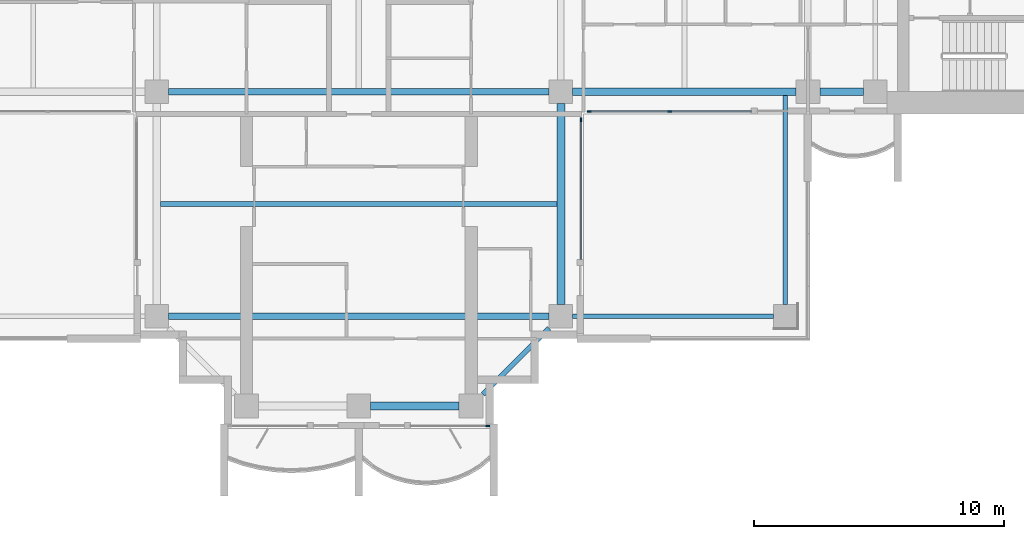
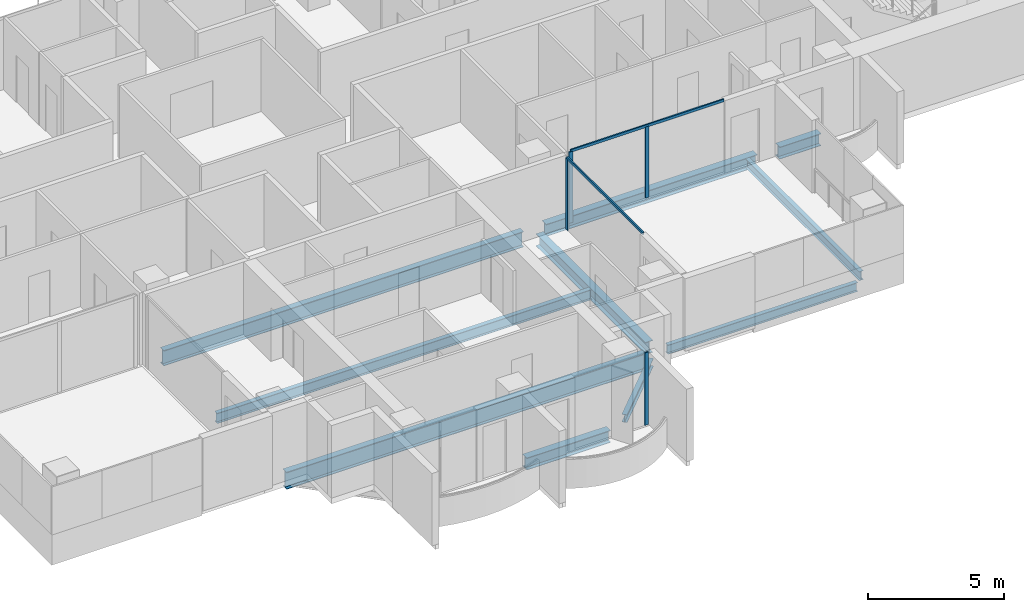
# One storey, part 3 of 18: 10 beams, 6 members, 3 elements without a shape of their own.
"""IFC4 building model written with IfcOpenShell, lengths in metres."""

from ifc_helpers import new_model, si_unit, direction, frame, origin, origin_2d, place, context, subcontext, project, spatial, rectangle, i_section, extrude, material, material_profile, profile_set, type_object, element, aggregate, save


model = new_model("IFC4")

# Units and contexts
model_context = context("Model", 3, precision=1e-05, world=origin(), true_north=direction((0.0, 1.0)))
body_context = subcontext(model_context, "Body", "Model", "MODEL_VIEW")
ifc_project = project(units=[si_unit("LENGTHUNIT", "METRE"), si_unit("AREAUNIT", "SQUARE_METRE"), si_unit("VOLUMEUNIT", "CUBIC_METRE"), si_unit("PLANEANGLEUNIT", "RADIAN"), si_unit("MASSUNIT", "GRAM", prefix="KILO")], contexts=[model_context])

# Site, building, storey
site_placement = place(None, origin())
site = spatial("IfcSite", under=ifc_project, at=site_placement, CompositionType="ELEMENT")
building_placement = place(site_placement, origin())
building = spatial("IfcBuilding", under=site, at=building_placement, Name="Perihelion Cross Residences", CompositionType="ELEMENT")
storey_placement = place(building_placement, frame((0.0, 0.0, 215.60009765625)))
storey = spatial("IfcBuildingStorey", under=building, at=storey_placement, Name="L54", CompositionType="ELEMENT", Elevation=215.60009765625)

# Curtain wall, member
ifc_material_1 = material(Name="Bronze anodised aluminium, tinted glazing", Category="aluminium")
curtain_wall_type = type_object("IfcCurtainWallType", Name="CW1", PredefinedType="NOTDEFINED", material=ifc_material_1)
curtain_wall_1_placement = place(storey_placement, origin())
curtain_wall_1 = element("IfcCurtainWall", 1, at=curtain_wall_1_placement, inside=storey, type_object=curtain_wall_type, Name="Curtain wall CW1 L54 south tip south bay 2", PredefinedType="NOTDEFINED")
ifc_material_2 = material(Name="Bronze anodised aluminium", Category="aluminium")
ifc_material_profile_1 = material_profile(ifc_material_2, rectangle(XDim=0.06005859375, YDim=0.159912109375, at=origin_2d()), Name="CW1 mullion")
ifc_profile_set_1 = profile_set([ifc_material_profile_1], Name="Bronze anodised aluminium")
member_type_1 = type_object("IfcMemberType", Name="CW1 mullion", PredefinedType="MULLION", material=ifc_profile_set_1)
member_1_placement = place(storey_placement, frame((5.169921875, -21.5, 0.0), z_axis=(0.0, 0.0, 1.0), x_axis=(0.0, 1.0, 0.0)))
member_1 = element("IfcMember", 2, at=member_1_placement, type_object=member_type_1, Name="CW1 mullion 2", PredefinedType="MULLION", context=body_context, shape_type="SweptSolid", body=[
    extrude(rectangle(XDim=0.06005859375, YDim=0.159912109375, at=origin_2d()), origin(), (0.0, 0.0, 1.0), 3.25),
])
aggregate(curtain_wall_1, [member_1])

curtain_wall_2_placement = place(storey_placement, origin())
curtain_wall_2 = element("IfcCurtainWall", 3, at=curtain_wall_2_placement, inside=storey, type_object=curtain_wall_type, Name="Curtain wall CW1 L54 south side east bay 1", PredefinedType="NOTDEFINED")
member_2_placement = place(storey_placement, frame((8.89990234375, -9.22998046875, 0.0), z_axis=(0.0, 0.0, 1.0), x_axis=(-1.0, 0.0, 0.0)))
member_2 = element("IfcMember", 4, at=member_2_placement, type_object=member_type_1, Name="CW1 mullion 2", PredefinedType="MULLION", context=body_context, shape_type="SweptSolid", body=[
    extrude(rectangle(XDim=0.06005859375, YDim=0.159912109375, at=origin_2d()), origin(), (0.0, 0.0, 1.0), 3.18994140625),
])

# Curtain wall, members
curtain_wall_3_placement = place(storey_placement, origin())
curtain_wall_3 = element("IfcCurtainWall", 5, at=curtain_wall_3_placement, inside=storey, type_object=curtain_wall_type, Name="Curtain wall CW1 L54 east side south bay 1", PredefinedType="NOTDEFINED")
member_3_placement = place(storey_placement, frame((9.22998046875, -8.89990234375, 0.0), z_axis=(0.0, 0.0, 1.0), x_axis=(0.0, 1.0, 0.0)))
member_3 = element("IfcMember", 6, at=member_3_placement, type_object=member_type_1, Name="CW1 mullion 1", PredefinedType="MULLION", context=body_context, shape_type="SweptSolid", body=[
    extrude(rectangle(XDim=0.06005859375, YDim=0.159912109375, at=origin_2d()), origin(), (0.0, 0.0, 1.0), 3.18994140625),
])
member_4_placement = place(storey_placement, frame((12.46240234375, -8.89990234375, 0.0), z_axis=(0.0, 0.0, 1.0), x_axis=(0.0, 1.0, 0.0)))
member_4 = element("IfcMember", 7, at=member_4_placement, type_object=member_type_1, Name="CW1 mullion 2", PredefinedType="MULLION", context=body_context, shape_type="SweptSolid", body=[
    extrude(rectangle(XDim=0.06005859375, YDim=0.159912109375, at=origin_2d()), origin(), (0.0, 0.0, 1.0), 3.18994140625),
])

# Member
ifc_material_3 = material(Name="Bronze anodised aluminium", Category="aluminium")
ifc_material_profile_2 = material_profile(ifc_material_3, rectangle(XDim=0.06005859375, YDim=0.1201171875, at=origin_2d()), Name="CW1 transom")
ifc_profile_set_2 = profile_set([ifc_material_profile_2], Name="Bronze anodised aluminium")
member_type_2 = type_object("IfcMemberType", Name="CW1 transom", PredefinedType="USERDEFINED", material=ifc_profile_set_2)
member_5_placement = place(storey_placement, frame((8.89990234375, -14.824951171875, 3.219970703125), z_axis=(0.0, 1.0, 0.0), x_axis=(-1.0, 0.0, 0.0)))
member_5 = element("IfcMember", 8, at=member_5_placement, type_object=member_type_2, Name="CW1 head transom", ObjectType="TRANSOM", PredefinedType="USERDEFINED", context=body_context, shape_type="SweptSolid", body=[
    extrude(rectangle(XDim=0.06005859375, YDim=0.1201171875, at=origin_2d()), origin(), (0.0, 0.0, 1.0), 5.594970703125),
])

aggregate(curtain_wall_2, [member_2, member_5])

member_6_placement = place(storey_placement, frame((9.22998046875, -8.89990234375, 3.219970703125), z_axis=(1.0, 0.0, 0.0), x_axis=(0.0, 1.0, 0.0)))
member_6 = element("IfcMember", 9, at=member_6_placement, type_object=member_type_2, Name="CW1 head transom", ObjectType="TRANSOM", PredefinedType="USERDEFINED", context=body_context, shape_type="SweptSolid", body=[
    extrude(rectangle(XDim=0.06005859375, YDim=0.1201171875, at=origin_2d()), origin(), (0.0, 0.0, 1.0), 6.4951171875),
])

aggregate(curtain_wall_3, [member_3, member_4, member_6])

# Beams
ifc_material_4 = material(Name="Steel S355", Category="steel")
ifc_material_profile_3 = material_profile(ifc_material_4, i_section(OverallWidth=0.177978515625, OverallDepth=0.406005859375, WebThickness=0.0078125, FlangeThickness=0.0126953125, at=origin_2d()), Name="W410x60")
ifc_profile_set_3 = profile_set([ifc_material_profile_3], Name="Steel S355")
beam_type_1 = type_object("IfcBeamType", Name="Core edge beam W410x60", PredefinedType="BEAM", material=ifc_profile_set_3)
beam_1_placement = place(storey_placement, frame((17.10009765625, -8.256103515625, -0.453125), z_axis=(0.0, -1.0, 0.0), x_axis=(1.0, 0.0, 0.0)))
element("IfcBeam", 10, at=beam_1_placement, inside=storey, type_object=beam_type_1, Name="Core edge beam TB2 L54 corner no. 3", PredefinedType="BEAM", context=body_context, shape_type="SweptSolid", body=[
    extrude(i_section(OverallWidth=0.177978515625, OverallDepth=0.406005859375, WebThickness=0.0078125, FlangeThickness=0.0126953125, at=origin_2d()), origin(), (0.0, 0.0, 1.0), 8.368896484375),
])
beam_2_placement = place(storey_placement, frame((8.574951171875, -17.10009765625, -0.453125), z_axis=(1.0, 0.0, 0.0), x_axis=(0.0, 1.0, 0.0)))
element("IfcBeam", 11, at=beam_2_placement, inside=storey, type_object=beam_type_1, Name="Core edge beam TB2 L54 corner no. 4", PredefinedType="BEAM", context=body_context, shape_type="SweptSolid", body=[
    extrude(i_section(OverallWidth=0.177978515625, OverallDepth=0.406005859375, WebThickness=0.0078125, FlangeThickness=0.0126953125, at=origin_2d()), origin(), (0.0, 0.0, 1.0), 8.050048828125),
])
ifc_material_5 = material(Name="Steel S355", Category="steel")
ifc_material_profile_4 = material_profile(ifc_material_5, i_section(OverallWidth=0.31201171875, OverallDepth=0.5439453125, WebThickness=0.0126953125, FlangeThickness=0.020263671875, at=origin_2d()), Name="W530x150")
ifc_profile_set_4 = profile_set([ifc_material_profile_4], Name="Steel S355")
beam_type_2 = type_object("IfcBeamType", Name="Edge beam W530x150", PredefinedType="SPANDREL", material=ifc_profile_set_4)
beam_3_placement = place(storey_placement, frame((0.47509765625, -20.699951171875, -0.522216796875), z_axis=(1.0, 0.0, 0.0), x_axis=(0.0, 1.0, 0.0)))
element("IfcBeam", 12, at=beam_3_placement, inside=storey, type_object=beam_type_2, Name="Edge beam SB4 L54 no. 7", PredefinedType="SPANDREL", context=body_context, shape_type="SweptSolid", body=[
    extrude(i_section(OverallWidth=0.31201171875, OverallDepth=0.5439453125, WebThickness=0.0126953125, FlangeThickness=0.020263671875, at=origin_2d()), origin(), (0.0, 0.0, 1.0), 3.5498046875),
])
beam_4_placement = place(storey_placement, frame((8.10009765625, -16.625, -0.522216796875), z_axis=(0.0, 1.0, 0.0), x_axis=(-1.0, 0.0, 0.0)))
element("IfcBeam", 13, at=beam_4_placement, inside=storey, type_object=beam_type_2, Name="Edge beam SB4 L54 no. 11", PredefinedType="SPANDREL", context=body_context, shape_type="SweptSolid", body=[
    extrude(i_section(OverallWidth=0.31201171875, OverallDepth=0.5439453125, WebThickness=0.0126953125, FlangeThickness=0.020263671875, at=origin_2d()), origin(), (0.0, 0.0, 1.0), 8.050048828125),
])
beam_5_placement = place(storey_placement, frame((8.574951171875, -8.10009765625, -0.522216796875), z_axis=(1.0, 0.0, 0.0), x_axis=(0.0, 1.0, 0.0)))
element("IfcBeam", 14, at=beam_5_placement, inside=storey, type_object=beam_type_2, Name="Edge beam SB4 L54 no. 12", PredefinedType="SPANDREL", context=body_context, shape_type="SweptSolid", body=[
    extrude(i_section(OverallWidth=0.31201171875, OverallDepth=0.5439453125, WebThickness=0.0126953125, FlangeThickness=0.020263671875, at=origin_2d()), origin(), (0.0, 0.0, 1.0), 8.949951171875),
])
beam_6_placement = place(storey_placement, frame((18.47509765625, -8.10009765625, -0.522216796875), z_axis=(1.0, 0.0, 0.0), x_axis=(0.0, 1.0, 0.0)))
element("IfcBeam", 15, at=beam_6_placement, inside=storey, type_object=beam_type_2, Name="Edge beam SB4 L54 no. 8", PredefinedType="SPANDREL", context=body_context, shape_type="SweptSolid", body=[
    extrude(i_section(OverallWidth=0.31201171875, OverallDepth=0.5439453125, WebThickness=0.0126953125, FlangeThickness=0.020263671875, at=origin_2d()), origin(), (0.0, 0.0, 1.0), 1.75),
])
ifc_material_6 = material(Name="Steel S355", Category="steel")
ifc_material_profile_5 = material_profile(ifc_material_6, i_section(OverallWidth=0.26708984375, OverallDepth=0.77001953125, WebThickness=0.015625, FlangeThickness=0.025390625, at=origin_2d()), Name="W760x196")
ifc_profile_set_5 = profile_set([ifc_material_profile_5], Name="Steel S355")
beam_type_3 = type_object("IfcBeamType", Name="Floor girder W760x196", PredefinedType="BEAM", material=ifc_profile_set_5)
beam_7_placement = place(storey_placement, frame((-7.625, -17.10009765625, -0.635009765625), z_axis=(1.0, 0.0, 0.0), x_axis=(0.0, 1.0, 0.0)))
element("IfcBeam", 16, at=beam_7_placement, inside=storey, type_object=beam_type_3, Name="Girder G4 L54 no. 3", PredefinedType="BEAM", context=body_context, shape_type="SweptSolid", body=[
    extrude(i_section(OverallWidth=0.26708984375, OverallDepth=0.77001953125, WebThickness=0.015625, FlangeThickness=0.025390625, at=origin_2d()), origin(), (0.0, 0.0, 1.0), 15.25),
])
ifc_material_7 = material(Name="Steel S355", Category="steel")
ifc_material_profile_6 = material_profile(ifc_material_7, i_section(OverallWidth=0.19091796875, OverallDepth=0.45703125, WebThickness=0.009033203125, FlangeThickness=0.014404296875, at=origin_2d()), Name="W460x74")
ifc_profile_set_6 = profile_set([ifc_material_profile_6], Name="Steel S355")
beam_type_4 = type_object("IfcBeamType", Name="Floor joist W460x74", PredefinedType="JOIST", material=ifc_profile_set_6)
beam_8_placement = place(storey_placement, frame((-7.944091796875, -12.60009765625, -0.478515625), z_axis=(1.0, 0.0, 0.0), x_axis=(0.0, 1.0, 0.0)))
element("IfcBeam", 17, at=beam_8_placement, inside=storey, type_object=beam_type_4, Name="Joist J5 L54 no. 3", PredefinedType="JOIST", context=body_context, shape_type="SweptSolid", body=[
    extrude(i_section(OverallWidth=0.19091796875, OverallDepth=0.45703125, WebThickness=0.009033203125, FlangeThickness=0.014404296875, at=origin_2d()), origin(), (0.0, 0.0, 1.0), 15.88818359375),
])
ifc_material_8 = material(Name="Steel S355", Category="steel")
ifc_material_profile_7 = material_profile(ifc_material_8, i_section(OverallWidth=0.257080078125, OverallDepth=0.693115234375, WebThickness=0.014404296875, FlangeThickness=0.023681640625, at=origin_2d()), Name="W690x170")
ifc_profile_set_7 = profile_set([ifc_material_profile_7], Name="Steel S355")
beam_type_5 = type_object("IfcBeamType", Name="Hub ring girder W690x170", PredefinedType="BEAM", material=ifc_profile_set_7)
beam_9_placement = place(storey_placement, frame((-7.625, -8.10009765625, -0.5966796875), z_axis=(1.0, 0.0, 0.0), x_axis=(0.0, 1.0, 0.0)))
element("IfcBeam", 18, at=beam_9_placement, inside=storey, type_object=beam_type_5, Name="Hub ring girder RG4 L54 no. 1", PredefinedType="BEAM", context=body_context, shape_type="SweptSolid", body=[
    extrude(i_section(OverallWidth=0.257080078125, OverallDepth=0.693115234375, WebThickness=0.014404296875, FlangeThickness=0.023681640625, at=origin_2d()), origin(), (0.0, 0.0, 1.0), 15.25),
])
ifc_material_9 = material(Name="Steel S355", Category="steel")
ifc_material_profile_8 = material_profile(ifc_material_9, i_section(OverallWidth=0.205078125, OverallDepth=0.35302734375, WebThickness=0.009521484375, FlangeThickness=0.016845703125, at=origin_2d()), Name="W360x79")
ifc_profile_set_8 = profile_set([ifc_material_profile_8], Name="Steel S355")
beam_type_6 = type_object("IfcBeamType", Name="Serration edge beam W360x79", PredefinedType="BEAM", material=ifc_profile_set_8)
beam_10_placement = place(storey_placement, frame((4.97509765625, -20.22509765625, -0.426513671875), z_axis=(0.70707420838, 0.707139352493, 0.0), x_axis=(-0.707139352493, 0.70707420838, 0.0)))
element("IfcBeam", 19, at=beam_10_placement, inside=storey, type_object=beam_type_6, Name="Serration edge beam EB4 L54 no. 2", PredefinedType="BEAM", context=body_context, shape_type="SweptSolid", body=[
    extrude(i_section(OverallWidth=0.205078125, OverallDepth=0.35302734375, WebThickness=0.009521484375, FlangeThickness=0.016845703125, at=origin_2d()), origin(), (0.0, 0.0, 1.0), 3.747802734375),
])

save(model, "model.ifc")
